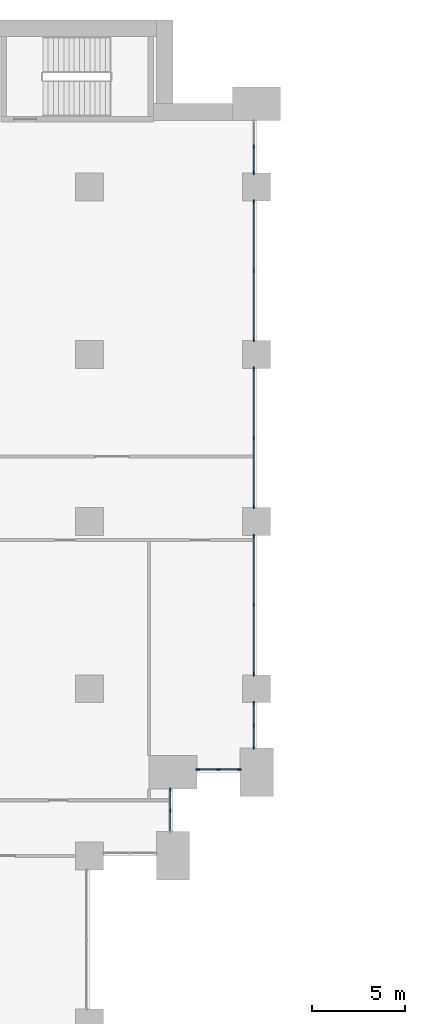
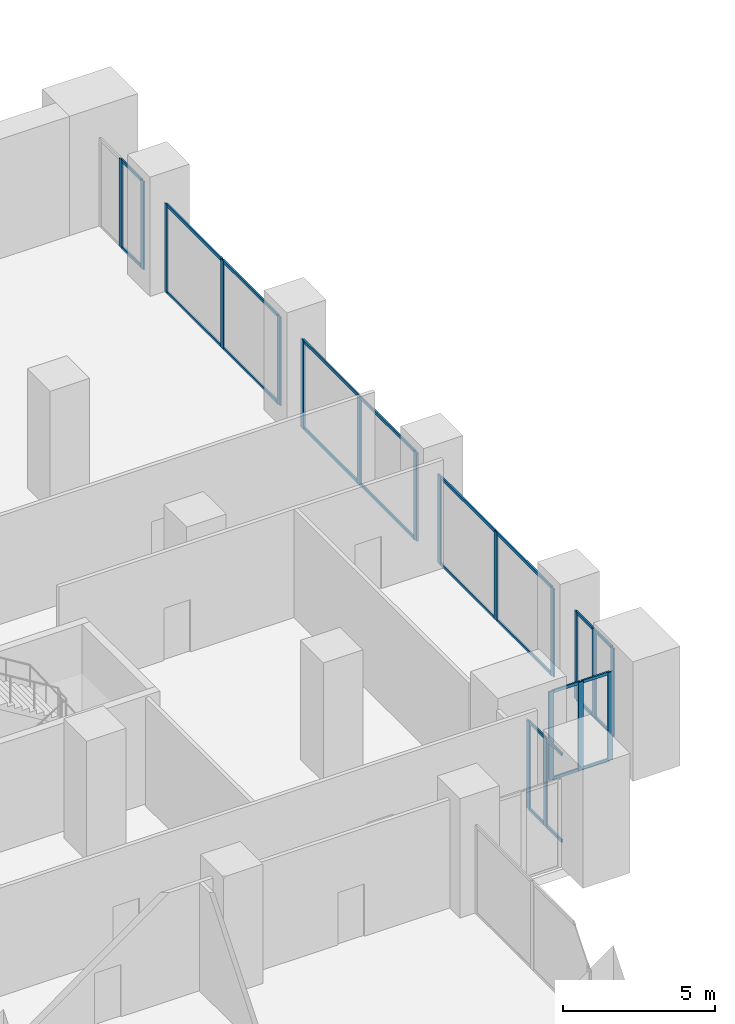
# One storey, part 5 of 32: 45 members, 7 elements without a shape of their own.
"""IFC4 building model written with IfcOpenShell, lengths in metres."""

from ifc_helpers import new_model, si_unit, direction, frame, origin, origin_2d, place, context, subcontext, project, spatial, rectangle, extrude, material, material_profile, profile_set, type_object, element, aggregate, save


model = new_model("IFC4")

# Units and contexts
model_context = context("Model", 3, precision=1e-05, world=origin(), true_north=direction((0.0, 1.0)))
body_context = subcontext(model_context, "Body", "Model", "MODEL_VIEW")
ifc_project = project(units=[si_unit("LENGTHUNIT", "METRE"), si_unit("AREAUNIT", "SQUARE_METRE"), si_unit("VOLUMEUNIT", "CUBIC_METRE"), si_unit("PLANEANGLEUNIT", "RADIAN"), si_unit("MASSUNIT", "GRAM", prefix="KILO")], contexts=[model_context])

# Site, building, storey
site_placement = place(None, origin())
site = spatial("IfcSite", under=ifc_project, at=site_placement, CompositionType="ELEMENT")
building_placement = place(site_placement, origin())
building = spatial("IfcBuilding", under=site, at=building_placement, Name="Hunhe Ridgeline Campus", CompositionType="ELEMENT")
storey_placement = place(building_placement, frame((0.0, 0.0, 26.39990234375)))
storey = spatial("IfcBuildingStorey", under=building, at=storey_placement, Name="L05", CompositionType="ELEMENT", Elevation=26.39990234375)

# Curtain wall, members
ifc_material_1 = material(Name="Aluminium and glass", Category="aluminium")
curtain_wall_type = type_object("IfcCurtainWallType", Name="Podium curtain wall CW-2", PredefinedType="NOTDEFINED", material=ifc_material_1)
curtain_wall_1_placement = place(storey_placement, origin())
curtain_wall_1 = element("IfcCurtainWall", 1, at=curtain_wall_1_placement, inside=storey, type_object=curtain_wall_type, Name="L05 podium curtain wall 2", PredefinedType="NOTDEFINED")
ifc_material_2 = material(Name="Aluminium", Category="aluminium")
ifc_material_profile_1 = material_profile(ifc_material_2, rectangle(XDim=0.06005859375, YDim=0.199951171875, at=origin_2d()))
ifc_profile_set_1 = profile_set([ifc_material_profile_1], Name="Aluminium")
member_type_1 = type_object("IfcMemberType", Name="CW-2 mullion 60x200", PredefinedType="MULLION", material=ifc_profile_set_1)
member_1_placement = place(storey_placement, frame((94.35009765625, 56.449951171875, 0.0), z_axis=(0.0, 0.0, 1.0), x_axis=(-1.0, 0.0, 0.0)))
member_1 = element("IfcMember", 2, at=member_1_placement, type_object=member_type_1, Name="CW2 mullion 2", PredefinedType="MULLION", context=body_context, shape_type="SweptSolid", body=[
    extrude(rectangle(XDim=0.06005859375, YDim=0.199951171875, at=origin_2d()), origin(), (0.0, 0.0, 1.0), 3.550048828125),
])
member_2_placement = place(storey_placement, frame((94.35009765625, 57.570068359375, 0.0), z_axis=(0.0, 0.0, 1.0), x_axis=(-1.0, 0.0, 0.0)))
member_2 = element("IfcMember", 3, at=member_2_placement, type_object=member_type_1, Name="CW2 mullion 3", PredefinedType="MULLION", context=body_context, shape_type="SweptSolid", body=[
    extrude(rectangle(XDim=0.06005859375, YDim=0.199951171875, at=origin_2d()), origin(), (0.0, 0.0, 1.0), 3.550048828125),
])

curtain_wall_2_placement = place(storey_placement, origin())
curtain_wall_2 = element("IfcCurtainWall", 4, at=curtain_wall_2_placement, inside=storey, type_object=curtain_wall_type, Name="L05 podium curtain wall 3", PredefinedType="NOTDEFINED")
member_3_placement = place(storey_placement, frame((95.830078125, 58.64990234375, 0.0), z_axis=(0.0, 0.0, 1.0), x_axis=(0.0, 1.0, 0.0)))
member_3 = element("IfcMember", 5, at=member_3_placement, type_object=member_type_1, Name="CW2 mullion 1", PredefinedType="MULLION", context=body_context, shape_type="SweptSolid", body=[
    extrude(rectangle(XDim=0.06005859375, YDim=0.199951171875, at=origin_2d()), origin(), (0.0, 0.0, 1.0), 3.550048828125),
])
member_4_placement = place(storey_placement, frame((96.949951171875, 58.64990234375, 0.0), z_axis=(0.0, 0.0, 1.0), x_axis=(0.0, 1.0, 0.0)))
member_4 = element("IfcMember", 6, at=member_4_placement, type_object=member_type_1, Name="CW2 mullion 2", PredefinedType="MULLION", context=body_context, shape_type="SweptSolid", body=[
    extrude(rectangle(XDim=0.06005859375, YDim=0.199951171875, at=origin_2d()), origin(), (0.0, 0.0, 1.0), 3.550048828125),
])
member_5_placement = place(storey_placement, frame((98.070068359375, 58.64990234375, 0.0), z_axis=(0.0, 0.0, 1.0), x_axis=(0.0, 1.0, 0.0)))
member_5 = element("IfcMember", 7, at=member_5_placement, type_object=member_type_1, Name="CW2 mullion 3", PredefinedType="MULLION", context=body_context, shape_type="SweptSolid", body=[
    extrude(rectangle(XDim=0.06005859375, YDim=0.199951171875, at=origin_2d()), origin(), (0.0, 0.0, 1.0), 3.550048828125),
])

curtain_wall_3_placement = place(storey_placement, origin())
curtain_wall_3 = element("IfcCurtainWall", 8, at=curtain_wall_3_placement, inside=storey, type_object=curtain_wall_type, Name="L05 podium curtain wall 4", PredefinedType="NOTDEFINED")
member_6_placement = place(storey_placement, frame((98.85009765625, 59.830078125, 0.0), z_axis=(0.0, 0.0, 1.0), x_axis=(-1.0, 0.0, 0.0)))
member_6 = element("IfcMember", 9, at=member_6_placement, type_object=member_type_1, Name="CW2 mullion 1", PredefinedType="MULLION", context=body_context, shape_type="SweptSolid", body=[
    extrude(rectangle(XDim=0.06005859375, YDim=0.199951171875, at=origin_2d()), origin(), (0.0, 0.0, 1.0), 3.550048828125),
])
member_7_placement = place(storey_placement, frame((98.85009765625, 61.02490234375, 0.0), z_axis=(0.0, 0.0, 1.0), x_axis=(-1.0, 0.0, 0.0)))
member_7 = element("IfcMember", 10, at=member_7_placement, type_object=member_type_1, Name="CW2 mullion 2", PredefinedType="MULLION", context=body_context, shape_type="SweptSolid", body=[
    extrude(rectangle(XDim=0.06005859375, YDim=0.199951171875, at=origin_2d()), origin(), (0.0, 0.0, 1.0), 3.550048828125),
])
member_8_placement = place(storey_placement, frame((98.85009765625, 62.219970703125, 0.0), z_axis=(0.0, 0.0, 1.0), x_axis=(-1.0, 0.0, 0.0)))
member_8 = element("IfcMember", 11, at=member_8_placement, type_object=member_type_1, Name="CW2 mullion 3", PredefinedType="MULLION", context=body_context, shape_type="SweptSolid", body=[
    extrude(rectangle(XDim=0.06005859375, YDim=0.199951171875, at=origin_2d()), origin(), (0.0, 0.0, 1.0), 3.550048828125),
])

curtain_wall_4_placement = place(storey_placement, origin())
curtain_wall_4 = element("IfcCurtainWall", 12, at=curtain_wall_4_placement, inside=storey, type_object=curtain_wall_type, Name="L05 podium curtain wall 5", PredefinedType="NOTDEFINED")
member_9_placement = place(storey_placement, frame((98.85009765625, 63.780029296875, 0.0), z_axis=(0.0, 0.0, 1.0), x_axis=(-1.0, 0.0, 0.0)))
member_9 = element("IfcMember", 13, at=member_9_placement, type_object=member_type_1, Name="CW2 mullion 1", PredefinedType="MULLION", context=body_context, shape_type="SweptSolid", body=[
    extrude(rectangle(XDim=0.06005859375, YDim=0.199951171875, at=origin_2d()), origin(), (0.0, 0.0, 1.0), 3.550048828125),
])
member_10_placement = place(storey_placement, frame((98.85009765625, 67.5, 0.0), z_axis=(0.0, 0.0, 1.0), x_axis=(-1.0, 0.0, 0.0)))
member_10 = element("IfcMember", 14, at=member_10_placement, type_object=member_type_1, Name="CW2 mullion 2", PredefinedType="MULLION", context=body_context, shape_type="SweptSolid", body=[
    extrude(rectangle(XDim=0.06005859375, YDim=0.199951171875, at=origin_2d()), origin(), (0.0, 0.0, 1.0), 3.550048828125),
])
member_11_placement = place(storey_placement, frame((98.85009765625, 71.219970703125, 0.0), z_axis=(0.0, 0.0, 1.0), x_axis=(-1.0, 0.0, 0.0)))
member_11 = element("IfcMember", 15, at=member_11_placement, type_object=member_type_1, Name="CW2 mullion 3", PredefinedType="MULLION", context=body_context, shape_type="SweptSolid", body=[
    extrude(rectangle(XDim=0.06005859375, YDim=0.199951171875, at=origin_2d()), origin(), (0.0, 0.0, 1.0), 3.550048828125),
])

curtain_wall_5_placement = place(storey_placement, origin())
curtain_wall_5 = element("IfcCurtainWall", 16, at=curtain_wall_5_placement, inside=storey, type_object=curtain_wall_type, Name="L05 podium curtain wall 6", PredefinedType="NOTDEFINED")
member_12_placement = place(storey_placement, frame((98.85009765625, 72.780029296875, 0.0), z_axis=(0.0, 0.0, 1.0), x_axis=(-1.0, 0.0, 0.0)))
member_12 = element("IfcMember", 17, at=member_12_placement, type_object=member_type_1, Name="CW2 mullion 1", PredefinedType="MULLION", context=body_context, shape_type="SweptSolid", body=[
    extrude(rectangle(XDim=0.06005859375, YDim=0.199951171875, at=origin_2d()), origin(), (0.0, 0.0, 1.0), 3.550048828125),
])
member_13_placement = place(storey_placement, frame((98.85009765625, 76.5, 0.0), z_axis=(0.0, 0.0, 1.0), x_axis=(-1.0, 0.0, 0.0)))
member_13 = element("IfcMember", 18, at=member_13_placement, type_object=member_type_1, Name="CW2 mullion 2", PredefinedType="MULLION", context=body_context, shape_type="SweptSolid", body=[
    extrude(rectangle(XDim=0.06005859375, YDim=0.199951171875, at=origin_2d()), origin(), (0.0, 0.0, 1.0), 3.550048828125),
])
member_14_placement = place(storey_placement, frame((98.85009765625, 80.219970703125, 0.0), z_axis=(0.0, 0.0, 1.0), x_axis=(-1.0, 0.0, 0.0)))
member_14 = element("IfcMember", 19, at=member_14_placement, type_object=member_type_1, Name="CW2 mullion 3", PredefinedType="MULLION", context=body_context, shape_type="SweptSolid", body=[
    extrude(rectangle(XDim=0.06005859375, YDim=0.199951171875, at=origin_2d()), origin(), (0.0, 0.0, 1.0), 3.550048828125),
])

curtain_wall_6_placement = place(storey_placement, origin())
curtain_wall_6 = element("IfcCurtainWall", 20, at=curtain_wall_6_placement, inside=storey, type_object=curtain_wall_type, Name="L05 podium curtain wall 7", PredefinedType="NOTDEFINED")
member_15_placement = place(storey_placement, frame((98.85009765625, 81.780029296875, 0.0), z_axis=(0.0, 0.0, 1.0), x_axis=(-1.0, 0.0, 0.0)))
member_15 = element("IfcMember", 21, at=member_15_placement, type_object=member_type_1, Name="CW2 mullion 1", PredefinedType="MULLION", context=body_context, shape_type="SweptSolid", body=[
    extrude(rectangle(XDim=0.06005859375, YDim=0.199951171875, at=origin_2d()), origin(), (0.0, 0.0, 1.0), 3.550048828125),
])
member_16_placement = place(storey_placement, frame((98.85009765625, 85.5, 0.0), z_axis=(0.0, 0.0, 1.0), x_axis=(-1.0, 0.0, 0.0)))
member_16 = element("IfcMember", 22, at=member_16_placement, type_object=member_type_1, Name="CW2 mullion 2", PredefinedType="MULLION", context=body_context, shape_type="SweptSolid", body=[
    extrude(rectangle(XDim=0.06005859375, YDim=0.199951171875, at=origin_2d()), origin(), (0.0, 0.0, 1.0), 3.550048828125),
])
member_17_placement = place(storey_placement, frame((98.85009765625, 89.219970703125, 0.0), z_axis=(0.0, 0.0, 1.0), x_axis=(-1.0, 0.0, 0.0)))
member_17 = element("IfcMember", 23, at=member_17_placement, type_object=member_type_1, Name="CW2 mullion 3", PredefinedType="MULLION", context=body_context, shape_type="SweptSolid", body=[
    extrude(rectangle(XDim=0.06005859375, YDim=0.199951171875, at=origin_2d()), origin(), (0.0, 0.0, 1.0), 3.550048828125),
])

curtain_wall_7_placement = place(storey_placement, origin())
curtain_wall_7 = element("IfcCurtainWall", 24, at=curtain_wall_7_placement, inside=storey, type_object=curtain_wall_type, Name="L05 podium curtain wall 8", PredefinedType="NOTDEFINED")
member_18_placement = place(storey_placement, frame((98.85009765625, 90.780029296875, 0.0), z_axis=(0.0, 0.0, 1.0), x_axis=(-1.0, 0.0, 0.0)))
member_18 = element("IfcMember", 25, at=member_18_placement, type_object=member_type_1, Name="CW2 mullion 1", PredefinedType="MULLION", context=body_context, shape_type="SweptSolid", body=[
    extrude(rectangle(XDim=0.06005859375, YDim=0.199951171875, at=origin_2d()), origin(), (0.0, 0.0, 1.0), 3.550048828125),
])
member_19_placement = place(storey_placement, frame((98.85009765625, 92.175048828125, 0.0), z_axis=(0.0, 0.0, 1.0), x_axis=(-1.0, 0.0, 0.0)))
member_19 = element("IfcMember", 26, at=member_19_placement, type_object=member_type_1, Name="CW2 mullion 2", PredefinedType="MULLION", context=body_context, shape_type="SweptSolid", body=[
    extrude(rectangle(XDim=0.06005859375, YDim=0.199951171875, at=origin_2d()), origin(), (0.0, 0.0, 1.0), 3.550048828125),
])

# Member
ifc_material_profile_2 = material_profile(ifc_material_2, rectangle(XDim=0.06005859375, YDim=0.1201171875, at=origin_2d()))
ifc_profile_set_2 = profile_set([ifc_material_profile_2], Name="Aluminium")
member_type_2 = type_object("IfcMemberType", Name="CW-2 transom 60x120", PredefinedType="USERDEFINED", material=ifc_profile_set_2)
member_20_placement = place(storey_placement, frame((94.35009765625, 55.360107421875, 0.030029296875), z_axis=(0.0, 1.0, 0.0), x_axis=(-1.0, 0.0, 0.0)))
member_20 = element("IfcMember", 27, at=member_20_placement, type_object=member_type_2, Name="CW2 transom 1.1", ObjectType="TRANSOM", PredefinedType="USERDEFINED", context=body_context, shape_type="SweptSolid", body=[
    extrude(rectangle(XDim=0.06005859375, YDim=0.1201171875, at=origin_2d()), origin(), (0.0, 0.0, 1.0), 1.059814453125),
])

member_21_placement = place(storey_placement, frame((94.35009765625, 55.360107421875, 3.52001953125), z_axis=(0.0, 1.0, 0.0), x_axis=(-1.0, 0.0, 0.0)))
member_21 = element("IfcMember", 28, at=member_21_placement, type_object=member_type_2, Name="CW2 transom 1.2", ObjectType="TRANSOM", PredefinedType="USERDEFINED", context=body_context, shape_type="SweptSolid", body=[
    extrude(rectangle(XDim=0.06005859375, YDim=0.1201171875, at=origin_2d()), origin(), (0.0, 0.0, 1.0), 1.059814453125),
])

member_22_placement = place(storey_placement, frame((94.35009765625, 56.47998046875, 0.030029296875), z_axis=(0.0, 1.0, 0.0), x_axis=(-1.0, 0.0, 0.0)))
member_22 = element("IfcMember", 29, at=member_22_placement, type_object=member_type_2, Name="CW2 transom 2.1", ObjectType="TRANSOM", PredefinedType="USERDEFINED", context=body_context, shape_type="SweptSolid", body=[
    extrude(rectangle(XDim=0.06005859375, YDim=0.1201171875, at=origin_2d()), origin(), (0.0, 0.0, 1.0), 1.06005859375),
])

member_23_placement = place(storey_placement, frame((94.35009765625, 56.47998046875, 3.52001953125), z_axis=(0.0, 1.0, 0.0), x_axis=(-1.0, 0.0, 0.0)))
member_23 = element("IfcMember", 30, at=member_23_placement, type_object=member_type_2, Name="CW2 transom 2.2", ObjectType="TRANSOM", PredefinedType="USERDEFINED", context=body_context, shape_type="SweptSolid", body=[
    extrude(rectangle(XDim=0.06005859375, YDim=0.1201171875, at=origin_2d()), origin(), (0.0, 0.0, 1.0), 1.06005859375),
])

aggregate(curtain_wall_1, [member_1, member_2, member_20, member_21, member_22, member_23])

member_24_placement = place(storey_placement, frame((95.860107421875, 58.64990234375, 0.030029296875), z_axis=(1.0, 0.0, 0.0), x_axis=(0.0, 1.0, 0.0)))
member_24 = element("IfcMember", 31, at=member_24_placement, type_object=member_type_2, Name="CW2 transom 1.1", ObjectType="TRANSOM", PredefinedType="USERDEFINED", context=body_context, shape_type="SweptSolid", body=[
    extrude(rectangle(XDim=0.06005859375, YDim=0.1201171875, at=origin_2d()), origin(), (0.0, 0.0, 1.0), 1.059814453125),
])

member_25_placement = place(storey_placement, frame((95.860107421875, 58.64990234375, 3.52001953125), z_axis=(1.0, 0.0, 0.0), x_axis=(0.0, 1.0, 0.0)))
member_25 = element("IfcMember", 32, at=member_25_placement, type_object=member_type_2, Name="CW2 transom 1.2", ObjectType="TRANSOM", PredefinedType="USERDEFINED", context=body_context, shape_type="SweptSolid", body=[
    extrude(rectangle(XDim=0.06005859375, YDim=0.1201171875, at=origin_2d()), origin(), (0.0, 0.0, 1.0), 1.059814453125),
])

member_26_placement = place(storey_placement, frame((96.97998046875, 58.64990234375, 0.030029296875), z_axis=(1.0, 0.0, 0.0), x_axis=(0.0, 1.0, 0.0)))
member_26 = element("IfcMember", 33, at=member_26_placement, type_object=member_type_2, Name="CW2 transom 2.1", ObjectType="TRANSOM", PredefinedType="USERDEFINED", context=body_context, shape_type="SweptSolid", body=[
    extrude(rectangle(XDim=0.06005859375, YDim=0.1201171875, at=origin_2d()), origin(), (0.0, 0.0, 1.0), 1.06005859375),
])

member_27_placement = place(storey_placement, frame((96.97998046875, 58.64990234375, 3.52001953125), z_axis=(1.0, 0.0, 0.0), x_axis=(0.0, 1.0, 0.0)))
member_27 = element("IfcMember", 34, at=member_27_placement, type_object=member_type_2, Name="CW2 transom 2.2", ObjectType="TRANSOM", PredefinedType="USERDEFINED", context=body_context, shape_type="SweptSolid", body=[
    extrude(rectangle(XDim=0.06005859375, YDim=0.1201171875, at=origin_2d()), origin(), (0.0, 0.0, 1.0), 1.06005859375),
])

aggregate(curtain_wall_2, [member_3, member_4, member_5, member_24, member_25, member_26, member_27])

member_28_placement = place(storey_placement, frame((98.85009765625, 59.860107421875, 0.030029296875), z_axis=(0.0, 1.0, 0.0), x_axis=(-1.0, 0.0, 0.0)))
member_28 = element("IfcMember", 35, at=member_28_placement, type_object=member_type_2, Name="CW2 transom 1.1", ObjectType="TRANSOM", PredefinedType="USERDEFINED", context=body_context, shape_type="SweptSolid", body=[
    extrude(rectangle(XDim=0.06005859375, YDim=0.1201171875, at=origin_2d()), origin(), (0.0, 0.0, 1.0), 1.135009765625),
])

member_29_placement = place(storey_placement, frame((98.85009765625, 59.860107421875, 3.52001953125), z_axis=(0.0, 1.0, 0.0), x_axis=(-1.0, 0.0, 0.0)))
member_29 = element("IfcMember", 36, at=member_29_placement, type_object=member_type_2, Name="CW2 transom 1.2", ObjectType="TRANSOM", PredefinedType="USERDEFINED", context=body_context, shape_type="SweptSolid", body=[
    extrude(rectangle(XDim=0.06005859375, YDim=0.1201171875, at=origin_2d()), origin(), (0.0, 0.0, 1.0), 1.135009765625),
])

member_30_placement = place(storey_placement, frame((98.85009765625, 61.054931640625, 0.030029296875), z_axis=(0.0, 1.0, 0.0), x_axis=(-1.0, 0.0, 0.0)))
member_30 = element("IfcMember", 37, at=member_30_placement, type_object=member_type_2, Name="CW2 transom 2.1", ObjectType="TRANSOM", PredefinedType="USERDEFINED", context=body_context, shape_type="SweptSolid", body=[
    extrude(rectangle(XDim=0.06005859375, YDim=0.1201171875, at=origin_2d()), origin(), (0.0, 0.0, 1.0), 1.135009765625),
])

member_31_placement = place(storey_placement, frame((98.85009765625, 61.054931640625, 3.52001953125), z_axis=(0.0, 1.0, 0.0), x_axis=(-1.0, 0.0, 0.0)))
member_31 = element("IfcMember", 38, at=member_31_placement, type_object=member_type_2, Name="CW2 transom 2.2", ObjectType="TRANSOM", PredefinedType="USERDEFINED", context=body_context, shape_type="SweptSolid", body=[
    extrude(rectangle(XDim=0.06005859375, YDim=0.1201171875, at=origin_2d()), origin(), (0.0, 0.0, 1.0), 1.135009765625),
])

aggregate(curtain_wall_3, [member_6, member_7, member_8, member_28, member_29, member_30, member_31])

member_32_placement = place(storey_placement, frame((98.85009765625, 63.81005859375, 0.030029296875), z_axis=(0.0, 1.0, 0.0), x_axis=(-1.0, 0.0, 0.0)))
member_32 = element("IfcMember", 39, at=member_32_placement, type_object=member_type_2, Name="CW2 transom 1.1", ObjectType="TRANSOM", PredefinedType="USERDEFINED", context=body_context, shape_type="SweptSolid", body=[
    extrude(rectangle(XDim=0.06005859375, YDim=0.1201171875, at=origin_2d()), origin(), (0.0, 0.0, 1.0), 3.659912109375),
])

member_33_placement = place(storey_placement, frame((98.85009765625, 63.81005859375, 3.52001953125), z_axis=(0.0, 1.0, 0.0), x_axis=(-1.0, 0.0, 0.0)))
member_33 = element("IfcMember", 40, at=member_33_placement, type_object=member_type_2, Name="CW2 transom 1.2", ObjectType="TRANSOM", PredefinedType="USERDEFINED", context=body_context, shape_type="SweptSolid", body=[
    extrude(rectangle(XDim=0.06005859375, YDim=0.1201171875, at=origin_2d()), origin(), (0.0, 0.0, 1.0), 3.659912109375),
])

member_34_placement = place(storey_placement, frame((98.85009765625, 67.530029296875, 0.030029296875), z_axis=(0.0, 1.0, 0.0), x_axis=(-1.0, 0.0, 0.0)))
member_34 = element("IfcMember", 41, at=member_34_placement, type_object=member_type_2, Name="CW2 transom 2.1", ObjectType="TRANSOM", PredefinedType="USERDEFINED", context=body_context, shape_type="SweptSolid", body=[
    extrude(rectangle(XDim=0.06005859375, YDim=0.1201171875, at=origin_2d()), origin(), (0.0, 0.0, 1.0), 3.659912109375),
])

member_35_placement = place(storey_placement, frame((98.85009765625, 67.530029296875, 3.52001953125), z_axis=(0.0, 1.0, 0.0), x_axis=(-1.0, 0.0, 0.0)))
member_35 = element("IfcMember", 42, at=member_35_placement, type_object=member_type_2, Name="CW2 transom 2.2", ObjectType="TRANSOM", PredefinedType="USERDEFINED", context=body_context, shape_type="SweptSolid", body=[
    extrude(rectangle(XDim=0.06005859375, YDim=0.1201171875, at=origin_2d()), origin(), (0.0, 0.0, 1.0), 3.659912109375),
])

aggregate(curtain_wall_4, [member_9, member_10, member_11, member_32, member_33, member_34, member_35])

member_36_placement = place(storey_placement, frame((98.85009765625, 72.81005859375, 0.030029296875), z_axis=(0.0, 1.0, 0.0), x_axis=(-1.0, 0.0, 0.0)))
member_36 = element("IfcMember", 43, at=member_36_placement, type_object=member_type_2, Name="CW2 transom 1.1", ObjectType="TRANSOM", PredefinedType="USERDEFINED", context=body_context, shape_type="SweptSolid", body=[
    extrude(rectangle(XDim=0.06005859375, YDim=0.1201171875, at=origin_2d()), origin(), (0.0, 0.0, 1.0), 3.659912109375),
])

member_37_placement = place(storey_placement, frame((98.85009765625, 72.81005859375, 3.52001953125), z_axis=(0.0, 1.0, 0.0), x_axis=(-1.0, 0.0, 0.0)))
member_37 = element("IfcMember", 44, at=member_37_placement, type_object=member_type_2, Name="CW2 transom 1.2", ObjectType="TRANSOM", PredefinedType="USERDEFINED", context=body_context, shape_type="SweptSolid", body=[
    extrude(rectangle(XDim=0.06005859375, YDim=0.1201171875, at=origin_2d()), origin(), (0.0, 0.0, 1.0), 3.659912109375),
])

member_38_placement = place(storey_placement, frame((98.85009765625, 76.530029296875, 0.030029296875), z_axis=(0.0, 1.0, 0.0), x_axis=(-1.0, 0.0, 0.0)))
member_38 = element("IfcMember", 45, at=member_38_placement, type_object=member_type_2, Name="CW2 transom 2.1", ObjectType="TRANSOM", PredefinedType="USERDEFINED", context=body_context, shape_type="SweptSolid", body=[
    extrude(rectangle(XDim=0.06005859375, YDim=0.1201171875, at=origin_2d()), origin(), (0.0, 0.0, 1.0), 3.659912109375),
])

member_39_placement = place(storey_placement, frame((98.85009765625, 76.530029296875, 3.52001953125), z_axis=(0.0, 1.0, 0.0), x_axis=(-1.0, 0.0, 0.0)))
member_39 = element("IfcMember", 46, at=member_39_placement, type_object=member_type_2, Name="CW2 transom 2.2", ObjectType="TRANSOM", PredefinedType="USERDEFINED", context=body_context, shape_type="SweptSolid", body=[
    extrude(rectangle(XDim=0.06005859375, YDim=0.1201171875, at=origin_2d()), origin(), (0.0, 0.0, 1.0), 3.659912109375),
])

aggregate(curtain_wall_5, [member_12, member_13, member_14, member_36, member_37, member_38, member_39])

member_40_placement = place(storey_placement, frame((98.85009765625, 81.81005859375, 0.030029296875), z_axis=(0.0, 1.0, 0.0), x_axis=(-1.0, 0.0, 0.0)))
member_40 = element("IfcMember", 47, at=member_40_placement, type_object=member_type_2, Name="CW2 transom 1.1", ObjectType="TRANSOM", PredefinedType="USERDEFINED", context=body_context, shape_type="SweptSolid", body=[
    extrude(rectangle(XDim=0.06005859375, YDim=0.1201171875, at=origin_2d()), origin(), (0.0, 0.0, 1.0), 3.659912109375),
])

member_41_placement = place(storey_placement, frame((98.85009765625, 81.81005859375, 3.52001953125), z_axis=(0.0, 1.0, 0.0), x_axis=(-1.0, 0.0, 0.0)))
member_41 = element("IfcMember", 48, at=member_41_placement, type_object=member_type_2, Name="CW2 transom 1.2", ObjectType="TRANSOM", PredefinedType="USERDEFINED", context=body_context, shape_type="SweptSolid", body=[
    extrude(rectangle(XDim=0.06005859375, YDim=0.1201171875, at=origin_2d()), origin(), (0.0, 0.0, 1.0), 3.659912109375),
])

member_42_placement = place(storey_placement, frame((98.85009765625, 85.530029296875, 0.030029296875), z_axis=(0.0, 1.0, 0.0), x_axis=(-1.0, 0.0, 0.0)))
member_42 = element("IfcMember", 49, at=member_42_placement, type_object=member_type_2, Name="CW2 transom 2.1", ObjectType="TRANSOM", PredefinedType="USERDEFINED", context=body_context, shape_type="SweptSolid", body=[
    extrude(rectangle(XDim=0.06005859375, YDim=0.1201171875, at=origin_2d()), origin(), (0.0, 0.0, 1.0), 3.659912109375),
])

member_43_placement = place(storey_placement, frame((98.85009765625, 85.530029296875, 3.52001953125), z_axis=(0.0, 1.0, 0.0), x_axis=(-1.0, 0.0, 0.0)))
member_43 = element("IfcMember", 50, at=member_43_placement, type_object=member_type_2, Name="CW2 transom 2.2", ObjectType="TRANSOM", PredefinedType="USERDEFINED", context=body_context, shape_type="SweptSolid", body=[
    extrude(rectangle(XDim=0.06005859375, YDim=0.1201171875, at=origin_2d()), origin(), (0.0, 0.0, 1.0), 3.659912109375),
])

aggregate(curtain_wall_6, [member_15, member_16, member_17, member_40, member_41, member_42, member_43])

member_44_placement = place(storey_placement, frame((98.85009765625, 90.81005859375, 0.030029296875), z_axis=(0.0, 1.0, 0.0), x_axis=(-1.0, 0.0, 0.0)))
member_44 = element("IfcMember", 51, at=member_44_placement, type_object=member_type_2, Name="CW2 transom 1.1", ObjectType="TRANSOM", PredefinedType="USERDEFINED", context=body_context, shape_type="SweptSolid", body=[
    extrude(rectangle(XDim=0.06005859375, YDim=0.1201171875, at=origin_2d()), origin(), (0.0, 0.0, 1.0), 1.3349609375),
])

member_45_placement = place(storey_placement, frame((98.85009765625, 90.81005859375, 3.52001953125), z_axis=(0.0, 1.0, 0.0), x_axis=(-1.0, 0.0, 0.0)))
member_45 = element("IfcMember", 52, at=member_45_placement, type_object=member_type_2, Name="CW2 transom 1.2", ObjectType="TRANSOM", PredefinedType="USERDEFINED", context=body_context, shape_type="SweptSolid", body=[
    extrude(rectangle(XDim=0.06005859375, YDim=0.1201171875, at=origin_2d()), origin(), (0.0, 0.0, 1.0), 1.3349609375),
])

aggregate(curtain_wall_7, [member_18, member_19, member_44, member_45])

save(model, "model.ifc")
